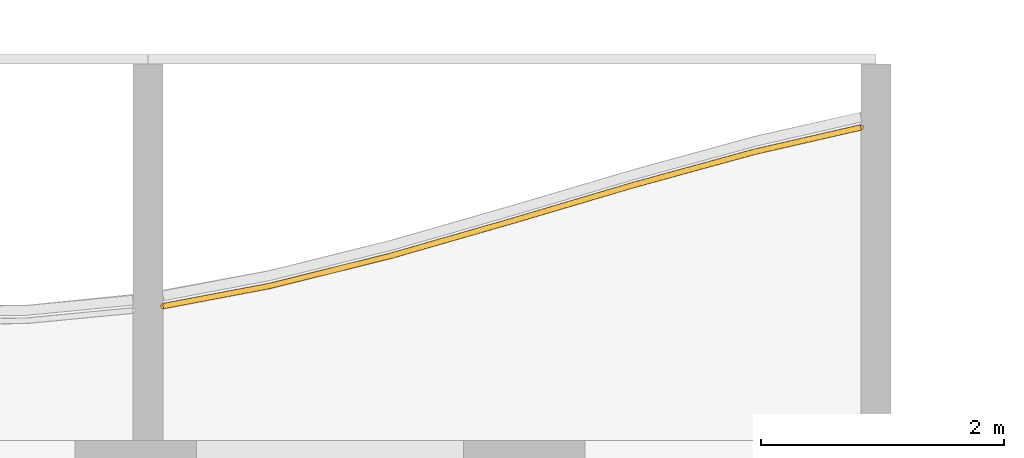
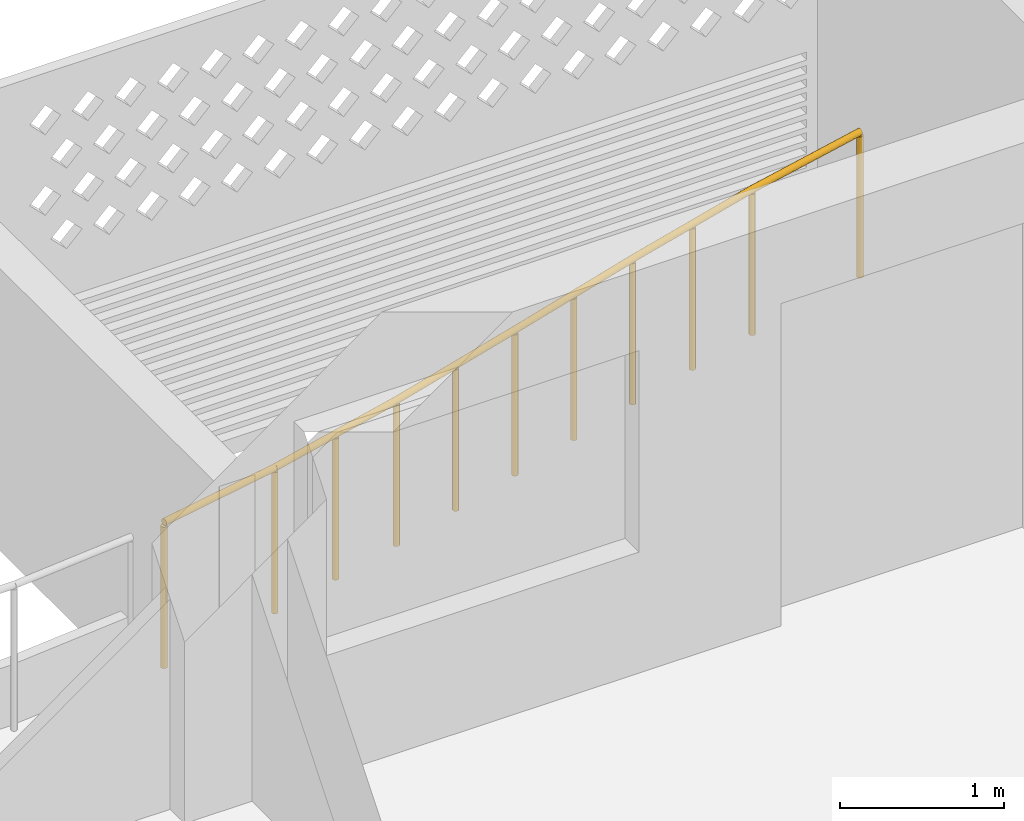
# One storey, part 19 of 20: 1 railing.
"""IFC4 building model written with IfcOpenShell, lengths in metres."""

from ifc_helpers import new_model, si_unit, direction, frame, origin, origin_2d, place, context, subcontext, project, spatial, circle, extrude, material, type_object, element, save


model = new_model("IFC4")

# Units and contexts
model_context = context("Model", 3, precision=1e-05, world=origin(), true_north=direction((0.0, 1.0)))
body_context = subcontext(model_context, "Body", "Model", "MODEL_VIEW")
ifc_project = project(units=[si_unit("LENGTHUNIT", "METRE"), si_unit("AREAUNIT", "SQUARE_METRE"), si_unit("VOLUMEUNIT", "CUBIC_METRE"), si_unit("PLANEANGLEUNIT", "RADIAN"), si_unit("MASSUNIT", "GRAM", prefix="KILO")], contexts=[model_context])

# Site, building, storey
site_placement = place(None, origin())
site = spatial("IfcSite", under=ifc_project, at=site_placement, CompositionType="ELEMENT")
building_placement = place(site_placement, origin())
building = spatial("IfcBuilding", under=site, at=building_placement, Name="Poui Terraces", CompositionType="ELEMENT")
storey_placement = place(building_placement, frame((0.0, 0.0, 257.699951171875)))
storey = spatial("IfcBuildingStorey", under=building, at=storey_placement, Name="L72", CompositionType="ELEMENT", Elevation=257.699951171875)

# Railing
ifc_material = material(Name="Painted steel fretwork", Category="steel")
railing_type = type_object("IfcRailingType", Name="BALCONY GUARD 1100", PredefinedType="GUARDRAIL", material=ifc_material)
railing_placement = place(storey_placement, frame((72.125, 42.506591796875, 0.0)))
element("IfcRailing", 1, at=railing_placement, inside=storey, type_object=railing_type, Name="BALCONY GUARD", PredefinedType="GUARDRAIL", context=body_context, shape_type="SweptSolid", body=[
    extrude(circle(Radius=0.02392578125, at=origin_2d()), frame((0.0, 0.0, 1.076171875), z_axis=(0.98252284804, 0.186142023945, 0.0), x_axis=(-0.186142023945, 0.98252284804, 0.0)), (0.0, 0.0, 1.0), 0.890625),
    extrude(circle(Radius=0.02392578125, at=origin_2d()), frame((0.875, 0.165771484375, 1.076171875), z_axis=(0.970476070643, 0.241197421854, 0.0), x_axis=(-0.241197421854, 0.970476070643, 0.0)), (0.0, 0.0, 1.0), 1.030517578125),
    extrude(circle(Radius=0.02392578125, at=origin_2d()), frame((1.875, 0.414306640625, 1.076171875), z_axis=(0.961106681232, 0.276177383743, 0.0), x_axis=(-0.276177383743, 0.961106681232, 0.0)), (0.0, 0.0, 1.0), 1.04052734375),
    extrude(circle(Radius=0.02392578125, at=origin_2d()), frame((2.875, 0.70166015625, 1.076171875), z_axis=(0.958838249952, 0.283952831346, 0.0), x_axis=(-0.283952831346, 0.958838249952, 0.0)), (0.0, 0.0, 1.0), 1.04296875),
    extrude(circle(Radius=0.02392578125, at=origin_2d()), frame((3.875, 0.997802734375, 1.076171875), z_axis=(0.964349713042, 0.264631122426, 0.0), x_axis=(-0.264631122426, 0.964349713042, 0.0)), (0.0, 0.0, 1.0), 1.036865234375),
    extrude(circle(Radius=0.02392578125, at=origin_2d()), frame((4.875, 1.272216796875, 1.076171875), z_axis=(0.974811218774, 0.223031584653, 0.0), x_axis=(-0.223031584653, 0.974811218774, 0.0)), (0.0, 0.0, 1.0), 0.897705078125),
    extrude(circle(Radius=0.02099609375, at=origin_2d()), origin(), (0.0, 0.0, 1.0), 1.052001953125),
    extrude(circle(Radius=0.02099609375, at=origin_2d()), frame((0.875, 0.165771484375, 0.0)), (0.0, 0.0, 1.0), 1.052001953125),
    extrude(circle(Radius=0.02099609375, at=origin_2d()), frame((1.375, 0.2900390625, 0.0)), (0.0, 0.0, 1.0), 1.052001953125),
    extrude(circle(Radius=0.02099609375, at=origin_2d()), frame((1.875, 0.414306640625, 0.0)), (0.0, 0.0, 1.0), 1.052001953125),
    extrude(circle(Radius=0.02099609375, at=origin_2d()), frame((2.375, 0.55810546875, 0.0)), (0.0, 0.0, 1.0), 1.052001953125),
    extrude(circle(Radius=0.02099609375, at=origin_2d()), frame((2.875, 0.70166015625, 0.0)), (0.0, 0.0, 1.0), 1.052001953125),
    extrude(circle(Radius=0.02099609375, at=origin_2d()), frame((3.375, 0.849609375, 0.0)), (0.0, 0.0, 1.0), 1.052001953125),
    extrude(circle(Radius=0.02099609375, at=origin_2d()), frame((3.875, 0.997802734375, 0.0)), (0.0, 0.0, 1.0), 1.052001953125),
    extrude(circle(Radius=0.02099609375, at=origin_2d()), frame((4.375, 1.135009765625, 0.0)), (0.0, 0.0, 1.0), 1.052001953125),
    extrude(circle(Radius=0.02099609375, at=origin_2d()), frame((4.875, 1.272216796875, 0.0)), (0.0, 0.0, 1.0), 1.052001953125),
    extrude(circle(Radius=0.02099609375, at=origin_2d()), frame((5.75, 1.472412109375, 0.0)), (0.0, 0.0, 1.0), 1.052001953125),
])

save(model, "model.ifc")
